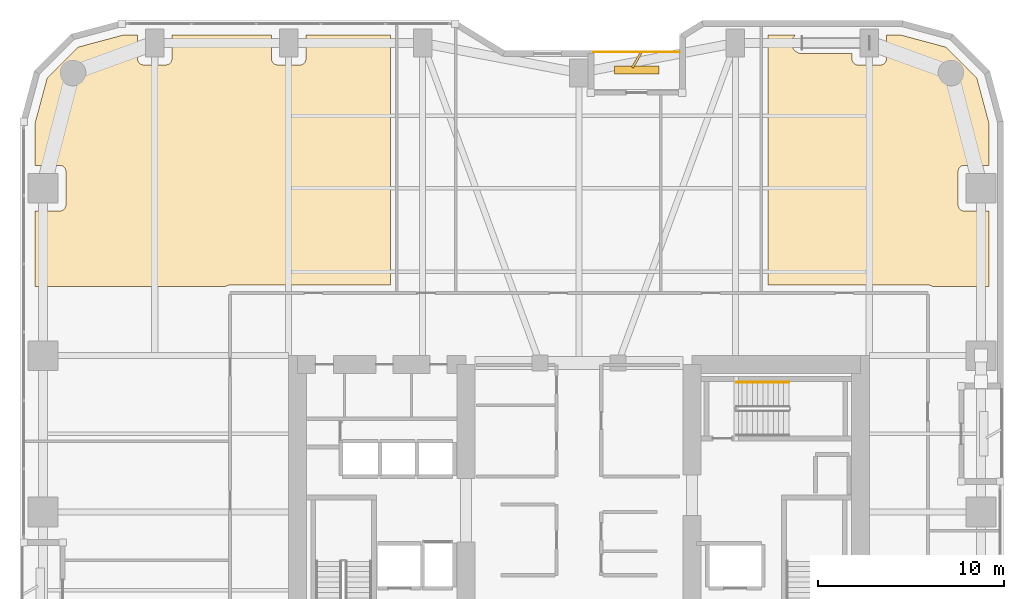
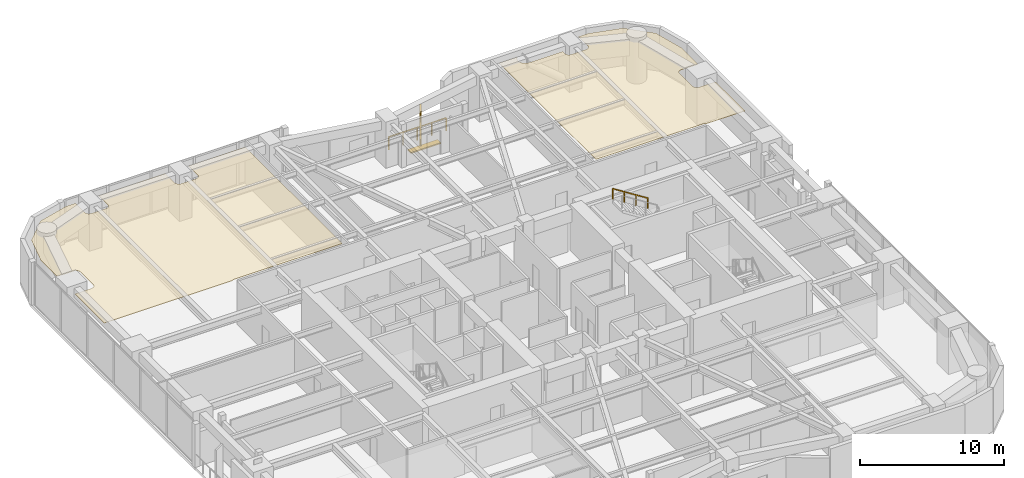
# One storey, part 24 of 24: 2 coverings, 2 railings, 2 shading devices.
"""IFC4 building model written with IfcOpenShell, lengths in metres."""

import ifcopenshell
import ifcopenshell.guid

model = None  # the IFC model being written
_history = None  # IfcOwnerHistory: only IFC2X3 demands one
_inside = {}  # id of a spatial element -> (the spatial element, [elements in it])
_under = {}  # id of a project, library or spatial element -> (it, [spatial elements below it])
_declared = {}  # id of a project -> (the project, [libraries it declares])
_typed = {}  # id of a type object -> (the type object, [elements of that type])
_made_of = {}  # id of a material, layer set ... -> (it, [elements and type objects made of it])


def new_model(schema):
    """Start an empty IFC model of exactly this schema.

    Asked for "IFC4X3", IfcOpenShell would pick the latest addendum, in which some entities
    have other attributes; the version numbers below select the first issue.
    IFC2X3 requires an IfcOwnerHistory on every rooted entity: one is made here for all.
    """
    global model, _history
    if schema == "IFC4X3":
        model = ifcopenshell.file(schema_version=(4, 3, 0, 0))
    else:
        model = ifcopenshell.file(schema=schema)
    _inside.clear()
    _under.clear()
    _declared.clear()
    _typed.clear()
    _made_of.clear()
    _history = None
    if model.schema == "IFC2X3":
        org = make("IfcOrganization", Name="unknown")
        user = make(
            "IfcPersonAndOrganization",
            ThePerson=make("IfcPerson", FamilyName="unknown"),
            TheOrganization=org,
        )
        app = make(
            "IfcApplication",
            ApplicationDeveloper=org,
            Version="unknown",
            ApplicationFullName="unknown",
            ApplicationIdentifier="unknown",
        )
        _history = make(
            "IfcOwnerHistory",
            OwningUser=user,
            OwningApplication=app,
            ChangeAction="ADDED",
            CreationDate=0,
        )
    return model


def make(cls, **values):
    """One entity of the class cls with the attributes given. An attribute that is None is left unset."""
    return model.create_entity(
        cls, **{name: value for name, value in values.items() if value is not None}
    )


def rooted(cls, **values):
    """An entity with a GlobalId (a new one), such as an element, a storey or a relation."""
    return make(cls, GlobalId=ifcopenshell.guid.new(), OwnerHistory=_history, **values)


def si_unit(unit_type, name, prefix=None):
    """IfcSIUnit, for example si_unit("LENGTHUNIT", "METRE", prefix="MILLI")."""
    return make("IfcSIUnit", UnitType=unit_type, Prefix=prefix, Name=name)


def assignment(units):
    """IfcUnitAssignment: the units of a project."""
    return None if units is None else make("IfcUnitAssignment", Units=units)


def point(xyz):
    """IfcCartesianPoint."""
    return None if xyz is None else make("IfcCartesianPoint", Coordinates=xyz)


def direction(xyz):
    """IfcDirection."""
    return None if xyz is None else make("IfcDirection", DirectionRatios=xyz)


def frame(location, z_axis=None, x_axis=None):
    """IfcAxis2Placement3D, a coordinate frame: its origin and axes. An axis left out is left unset."""
    return make(
        "IfcAxis2Placement3D",
        Location=point(location),
        Axis=direction(z_axis),
        RefDirection=direction(x_axis),
    )


def frame_2d(location, x_axis=None):
    """IfcAxis2Placement2D, a coordinate frame in the plane: its origin and x axis."""
    return make(
        "IfcAxis2Placement2D", Location=point(location), RefDirection=direction(x_axis)
    )


def origin():
    """The frame at (0, 0, 0) with its axes left unset."""
    return frame((0.0, 0.0, 0.0))


def origin_2d():
    """The frame at (0, 0) in the plane with its x axis left unset."""
    return frame_2d((0.0, 0.0))


def place(relative_to, where):
    """IfcLocalPlacement: puts the frame where relative to a parent placement (None: the world)."""
    return make(
        "IfcLocalPlacement", PlacementRelTo=relative_to, RelativePlacement=where
    )


def context(
    kind, dimensions, precision=None, world=None, true_north=None, identifier=None
):
    """IfcGeometricRepresentationContext, for example the 3D "Model" context."""
    return make(
        "IfcGeometricRepresentationContext",
        ContextIdentifier=identifier,
        ContextType=kind,
        CoordinateSpaceDimension=dimensions,
        Precision=precision,
        WorldCoordinateSystem=world,
        TrueNorth=true_north,
    )


def subcontext(parent, identifier, kind, view, scale=None):
    """IfcGeometricRepresentationSubContext, for example "Body" below "Model"."""
    return make(
        "IfcGeometricRepresentationSubContext",
        ContextIdentifier=identifier,
        ContextType=kind,
        ParentContext=parent,
        TargetScale=scale,
        TargetView=view,
    )


def project(units=None, contexts=None):
    """IfcProject with its units and contexts."""
    return rooted(
        "IfcProject",
        Name="project",
        RepresentationContexts=contexts,
        UnitsInContext=assignment(units),
    )


def spatial(cls, under=None, at=None, **own):
    """A site, building, storey or space (cls), placed at a placement, below another one or the project."""
    s = rooted(cls, ObjectPlacement=at, **own)
    if under is not None:
        _under.setdefault(under.id(), (under, []))[1].append(s)
    return s


def polyline(points):
    """IfcPolyline through the points."""
    return make("IfcPolyline", Points=[point(p) for p in points])


def profile(cls, at=None, kind="AREA", **sizes):
    """A parametric profile (cls). Its sizes go by their IFC names, for example OverallWidth=200.0."""
    return make(cls, ProfileType=kind, Position=at, **sizes)


def rectangle(**sizes):
    """IfcRectangleProfileDef."""
    return profile("IfcRectangleProfileDef", **sizes)


def outline(outer, holes=None, kind="AREA"):
    """IfcArbitraryClosedProfileDef: a profile drawn as a closed curve; with holes, ...WithVoids."""
    if holes is None:
        return make("IfcArbitraryClosedProfileDef", ProfileType=kind, OuterCurve=outer)
    return make(
        "IfcArbitraryProfileDefWithVoids",
        ProfileType=kind,
        OuterCurve=outer,
        InnerCurves=holes,
    )


def extrude(swept, where, along, depth):
    """IfcExtrudedAreaSolid: the profile swept, set in the frame where, extruded along a direction by depth."""
    return make(
        "IfcExtrudedAreaSolid",
        SweptArea=swept,
        Position=where,
        ExtrudedDirection=direction(along),
        Depth=depth,
    )


def shape(context_of_items, identifier, shape_type, items):
    """IfcShapeRepresentation: the items that make up one representation, for example the "Body"."""
    return make(
        "IfcShapeRepresentation",
        ContextOfItems=context_of_items,
        RepresentationIdentifier=identifier,
        RepresentationType=shape_type,
        Items=items,
    )


def material(Name=None, Category=None):
    """IfcMaterial."""
    return make("IfcMaterial", Name=Name, Category=Category)


def layer(
    of_material, thickness, ventilated=None, Name=None, Category=None, Priority=None
):
    """IfcMaterialLayer: one layer of a wall or slab, of a material (None: an air gap)."""
    return make(
        "IfcMaterialLayer",
        Material=of_material,
        LayerThickness=thickness,
        IsVentilated=ventilated,
        Name=Name,
        Category=Category,
        Priority=Priority,
    )


def layer_set(layers, Name=None):
    """IfcMaterialLayerSet."""
    return make("IfcMaterialLayerSet", MaterialLayers=layers, LayerSetName=Name)


def made_of(thing, what):
    """Note that an element or type object is made of a material, layer set ...; save() writes the relation."""
    if what is not None:
        _made_of.setdefault(what.id(), (what, []))[1].append(thing)
    return thing


def type_object(cls, material=None, **own):
    """A type object (cls), such as IfcWallType, which elements share."""
    return made_of(rooted(cls, **own), material)


def element(
    cls,
    number,
    at=None,
    inside=None,
    cuts=None,
    type_object=None,
    material=None,
    context=None,
    identifier="Body",
    shape_type=None,
    held_by="IfcProductDefinitionShape",
    body=None,
    shapes=None,
    **own,
):
    """One element of the class cls, such as IfcWall. Its Tag is "e" and its number.

    at: its placement. inside: the storey or other place that contains it. cuts: it is an
    opening in that element (IfcRelVoidsElement). A single representation is given by context,
    identifier, shape_type and body (its items); several are given by shapes. held_by: the class
    of the entity that holds the representations. save() writes the other relations.
    """
    e = rooted(cls, Tag="e%d" % number, ObjectPlacement=at, **own)
    if body is not None:
        shapes = [shape(context, identifier, shape_type, body)]
    if shapes is not None:
        e.Representation = make(held_by, Representations=shapes)
    if inside is not None:
        _inside.setdefault(inside.id(), (inside, []))[1].append(e)
    if cuts is not None:
        rooted(
            "IfcRelVoidsElement", RelatingBuildingElement=cuts, RelatedOpeningElement=e
        )
    if type_object is not None:
        _typed.setdefault(type_object.id(), (type_object, []))[1].append(e)
    return made_of(e, material)


def aggregate(whole, parts):
    """IfcRelAggregates: a whole, such as a stair, and the parts it consists of."""
    return rooted("IfcRelAggregates", RelatingObject=whole, RelatedObjects=parts)


def save(model, path):
    """Write the relations noted so far, then the file.

    IfcRelAggregates (storeys below a building ...), IfcRelContainedInSpatialStructure (elements
    in a storey), IfcRelDefinesByType, IfcRelAssociatesMaterial and IfcRelDeclares: one each for
    every whole, place, type object, material and project.
    """
    for whole, parts in _under.values():
        aggregate(whole, parts)
    for where, things in _inside.values():
        rooted(
            "IfcRelContainedInSpatialStructure",
            RelatedElements=things,
            RelatingStructure=where,
        )
    for kind, things in _typed.values():
        rooted("IfcRelDefinesByType", RelatedObjects=things, RelatingType=kind)
    for what, things in _made_of.values():
        rooted("IfcRelAssociatesMaterial", RelatedObjects=things, RelatingMaterial=what)
    for by, libraries in _declared.values():
        rooted("IfcRelDeclares", RelatingContext=by, RelatedDefinitions=libraries)
    model.write(path)


model = new_model("IFC4")

# Units and contexts
model_context = context("Model", 3, precision=1e-05, world=origin(), true_north=direction((0.0, 1.0)))
body_context = subcontext(model_context, "Body", "Model", "MODEL_VIEW")
ifc_project = project(units=[si_unit("LENGTHUNIT", "METRE"), si_unit("AREAUNIT", "SQUARE_METRE"), si_unit("VOLUMEUNIT", "CUBIC_METRE"), si_unit("PLANEANGLEUNIT", "RADIAN"), si_unit("MASSUNIT", "GRAM", prefix="KILO")], contexts=[model_context])

# Site, building, storey
site_placement = place(None, origin())
site = spatial("IfcSite", under=ifc_project, at=site_placement, CompositionType="ELEMENT")
building_placement = place(site_placement, origin())
building = spatial("IfcBuilding", under=site, at=building_placement, Name="Kiyonajd Concourse Tower", CompositionType="ELEMENT")
storey_placement = place(building_placement, frame((0.0, 0.0, 85.800048828125)))
storey = spatial("IfcBuildingStorey", under=building, at=storey_placement, Name="L22", CompositionType="ELEMENT", Elevation=85.800048828125)

# Coverings
ifc_material_1 = material(Name="Natural Oak Acoustic Timber Veneer", Category="wood")
ifc_layer = layer(ifc_material_1, 0.0400390625)
ifc_layer_set = layer_set([ifc_layer], Name="Natural Oak Acoustic Timber Veneer")
covering_type = type_object("IfcCoveringType", Name="CV-CLG-ACST", PredefinedType="CEILING", material=ifc_layer_set)
covering_1_placement = place(storey_placement, frame((0.0, 0.0, 3.4599609375)))
element("IfcCovering", 1, at=covering_1_placement, inside=storey, type_object=covering_type, Name="L22-46 Room Acoustic Ceiling", PredefinedType="CEILING", context=body_context, shape_type="SweptSolid", body=[
    extrude(outline(polyline([(21.097900390625, 60.986083984375), (23.5009765625, 61.6298828125), (24.27001953125, 61.6298828125), (24.27197265625, 60.3359375), (24.297119140625, 60.236083984375), (24.3291015625, 60.176025390625), (24.373046875, 60.123046875), (24.426025390625, 60.0791015625), (24.486083984375, 60.047119140625), (24.5859375, 60.02197265625), (25.81396484375, 60.02197265625), (25.9140625, 60.047119140625), (26.001953125, 60.09912109375), (26.051025390625, 60.14794921875), (26.089111328125, 60.205078125), (26.123046875, 60.302001953125), (26.1298828125, 60.3701171875), (26.1298828125, 61.6298828125), (31.469970703125, 61.6298828125), (31.471923828125, 60.3359375), (31.4970703125, 60.236083984375), (31.529052734375, 60.176025390625), (31.572998046875, 60.123046875), (31.6259765625, 60.0791015625), (31.68603515625, 60.047119140625), (31.785888671875, 60.02197265625), (32.97998046875, 60.02001953125), (33.048095703125, 60.027099609375), (33.114013671875, 60.047119140625), (33.201904296875, 60.09912109375), (33.2509765625, 60.14794921875), (33.2890625, 60.205078125), (33.322998046875, 60.302001953125), (33.330078125, 60.3701171875), (33.330078125, 61.6298828125), (37.860107421875, 61.6298828125), (37.860107421875, 48.199951171875), (29.25, 48.199951171875), (29.1201171875, 48.179931640625), (29.056884765625, 48.154052734375), (29.001953125, 48.1201171875), (18.77001953125, 48.1201171875), (18.77001953125, 52.169921875), (20.080078125, 52.169921875), (20.14794921875, 52.177001953125), (20.2451171875, 52.2109375), (20.302001953125, 52.2490234375), (20.35107421875, 52.298095703125), (20.388916015625, 52.35498046875), (20.4150390625, 52.41796875), (20.429931640625, 52.52001953125), (20.429931640625, 54.280029296875), (20.4150390625, 54.382080078125), (20.388916015625, 54.445068359375), (20.35107421875, 54.501953125), (20.302001953125, 54.551025390625), (20.2451171875, 54.589111328125), (20.181884765625, 54.614990234375), (20.114013671875, 54.6279296875), (18.77001953125, 54.6298828125), (18.77001953125, 56.89892578125), (19.4140625, 59.302001953125), (21.097900390625, 60.986083984375)])), origin(), (0.0, 0.0, 1.0), 0.0400390625),
])
covering_2_placement = place(storey_placement, frame((0.0, 0.0, 3.4599609375)))
element("IfcCovering", 2, at=covering_2_placement, inside=storey, type_object=covering_type, Name="L22-50 Room Acoustic Ceiling", PredefinedType="CEILING", context=body_context, shape_type="SweptSolid", body=[
    extrude(outline(polyline([(59.6259765625, 61.6298828125), (59.5390625, 61.533935546875), (59.498046875, 61.469970703125), (59.467041015625, 61.40087890625), (59.43603515625, 61.27490234375), (59.429931640625, 61.199951171875), (59.43603515625, 61.125), (59.467041015625, 60.9990234375), (59.498046875, 60.929931640625), (59.5390625, 60.865966796875), (59.637939453125, 60.759033203125), (59.759033203125, 60.68408203125), (59.87109375, 60.64501953125), (59.97802734375, 60.631103515625), (62.669921875, 60.6298828125), (62.672119140625, 60.3359375), (62.68505859375, 60.26806640625), (62.7109375, 60.205078125), (62.77294921875, 60.123046875), (62.85498046875, 60.06103515625), (62.91796875, 60.034912109375), (63.02001953125, 60.02001953125), (64.179931640625, 60.02001953125), (64.281982421875, 60.034912109375), (64.3740234375, 60.0791015625), (64.427001953125, 60.123046875), (64.470947265625, 60.176025390625), (64.514892578125, 60.26806640625), (64.528076171875, 60.3359375), (64.530029296875, 61.6298828125), (65.299072265625, 61.6298828125), (67.701904296875, 60.986083984375), (69.385986328125, 59.302001953125), (70.030029296875, 56.89892578125), (70.030029296875, 54.6298828125), (68.68603515625, 54.6279296875), (68.617919921875, 54.614990234375), (68.554931640625, 54.589111328125), (68.498046875, 54.551025390625), (68.448974609375, 54.501953125), (68.410888671875, 54.445068359375), (68.385009765625, 54.382080078125), (68.3701171875, 54.280029296875), (68.3720703125, 52.486083984375), (68.39697265625, 52.385986328125), (68.448974609375, 52.298095703125), (68.498046875, 52.2490234375), (68.554931640625, 52.2109375), (68.652099609375, 52.177001953125), (68.719970703125, 52.169921875), (70.030029296875, 52.169921875), (70.030029296875, 48.1201171875), (66.998046875, 48.1201171875), (66.943115234375, 48.154052734375), (66.8798828125, 48.179931640625), (66.75, 48.199951171875), (58.159912109375, 48.199951171875), (58.159912109375, 61.6298828125), (59.6259765625, 61.6298828125)])), origin(), (0.0, 0.0, 1.0), 0.0400390625),
])

# Railings
ifc_material_2 = material(Name="Thermally Broken Anodised Aluminium", Category="aluminium")
railing_type_1 = type_object("IfcRailingType", Name="RL-GRD-LOG", PredefinedType="GUARDRAIL", material=ifc_material_2)
railing_1_placement = place(storey_placement, frame((53.39990234375, 60.719970703125, 0.0)))
element("IfcRailing", 3, at=railing_1_placement, inside=storey, type_object=railing_type_1, Name="L22 Engawa Loggia Perimeter Guard LOG-N", PredefinedType="GUARDRAIL", context=body_context, shape_type="SweptSolid", body=[
    extrude(rectangle(XDim=0.048095703125, YDim=0.048095703125, at=origin_2d()), frame((0.0, 0.0, 1.076171875), z_axis=(-1.0, 0.0, 0.0), x_axis=(0.0, -1.0, 0.0)), (0.0, 0.0, 1.0), 4.599853515625),
    extrude(rectangle(XDim=0.0419921875, YDim=0.0419921875, at=origin_2d()), origin(), (0.0, 0.0, 1.0), 1.052001953125),
    extrude(rectangle(XDim=0.0419921875, YDim=0.0419921875, at=origin_2d()), frame((-1.14990234375, 0.0, 0.0)), (0.0, 0.0, 1.0), 1.052001953125),
    extrude(rectangle(XDim=0.0419921875, YDim=0.0419921875, at=origin_2d()), frame((-2.2998046875, 0.0, 0.0)), (0.0, 0.0, 1.0), 1.052001953125),
    extrude(rectangle(XDim=0.0419921875, YDim=0.0419921875, at=origin_2d()), frame((-3.449951171875, 0.0, 0.0)), (0.0, 0.0, 1.0), 1.052001953125),
    extrude(rectangle(XDim=0.0419921875, YDim=0.0419921875, at=origin_2d()), frame((-4.599853515625, 0.0, 0.0)), (0.0, 0.0, 1.0), 1.052001953125),
])
ifc_material_3 = material(Name="Brushed Stainless Steel Cab Assembly", Category="steel")
railing_type_2 = type_object("IfcRailingType", Name="RL-HND-900", PredefinedType="HANDRAIL", material=ifc_material_3)
railing_2_placement = place(storey_placement, frame((59.280029296875, 42.969970703125, 2.127197265625)))
element("IfcRailing", 4, at=railing_2_placement, inside=storey, type_object=railing_type_2, Name="L22 ST3 stair handrail 2", PredefinedType="HANDRAIL", context=body_context, shape_type="SweptSolid", body=[
    extrude(rectangle(XDim=0.048095703125, YDim=0.048095703125, at=origin_2d()), frame((0.0, 0.0, 0.8759765625), z_axis=(-0.844908973607, 0.0, 0.534910110503), x_axis=(0.0, -1.0, 0.0)), (0.0, 0.0, 1.0), 3.31396484375),
    extrude(rectangle(XDim=0.0419921875, YDim=0.0419921875, at=origin_2d()), origin(), (0.0, 0.0, 1.0), 0.851806640625),
    extrude(rectangle(XDim=0.0419921875, YDim=0.0419921875, at=origin_2d()), frame((-0.933349609375, 0.0, 0.5908203125)), (0.0, 0.0, 1.0), 0.851806640625),
    extrude(rectangle(XDim=0.0419921875, YDim=0.0419921875, at=origin_2d()), frame((-1.86669921875, 0.0, 1.181884765625)), (0.0, 0.0, 1.0), 0.851806640625),
    extrude(rectangle(XDim=0.0419921875, YDim=0.0419921875, at=origin_2d()), frame((-2.800048828125, 0.0, 1.772705078125)), (0.0, 0.0, 1.0), 0.851806640625),
])

# Shading devices
ifc_material_4 = material(Name="Precast concrete C50/60", Category="concrete")
shading_device_type_1 = type_object("IfcShadingDeviceType", Name="SH-FIN-900", PredefinedType="USERDEFINED", material=ifc_material_4)
shading_device_1_placement = place(storey_placement, frame((51.10009765625, 60.27001953125, 0.0), z_axis=(0.0, 0.0, 1.0), x_axis=(0.5, 0.866025403784, 0.0)))
element("IfcShadingDevice", 5, at=shading_device_1_placement, inside=storey, type_object=shading_device_type_1, Name="L22 Angled Koshi Solar Fin LOG-N", ObjectType="FIN", PredefinedType="USERDEFINED", context=body_context, shape_type="SweptSolid", body=[
    extrude(rectangle(XDim=0.89990234375, YDim=0.1201171875, at=origin_2d()), origin(), (0.0, 0.0, 1.0), 3.0),
])
shading_device_type_2 = type_object("IfcShadingDeviceType", Name="SH-LVR-600", PredefinedType="JALOUSIE", material=ifc_material_2)
shading_device_2_placement = place(storey_placement, frame((51.10009765625, 59.75, 0.0), z_axis=(0.0, 0.0, 1.0), x_axis=(1.0, 0.0, 0.0)))
element("IfcShadingDevice", 6, at=shading_device_2_placement, inside=storey, type_object=shading_device_type_2, Name="L22 Loggia Threshold Louver LOG-N", PredefinedType="JALOUSIE", context=body_context, shape_type="SweptSolid", body=[
    extrude(rectangle(XDim=2.39990234375, YDim=0.449951171875, at=origin_2d()), origin(), (0.0, 0.0, 1.0), 0.10009765625),
])

save(model, "model.ifc")
